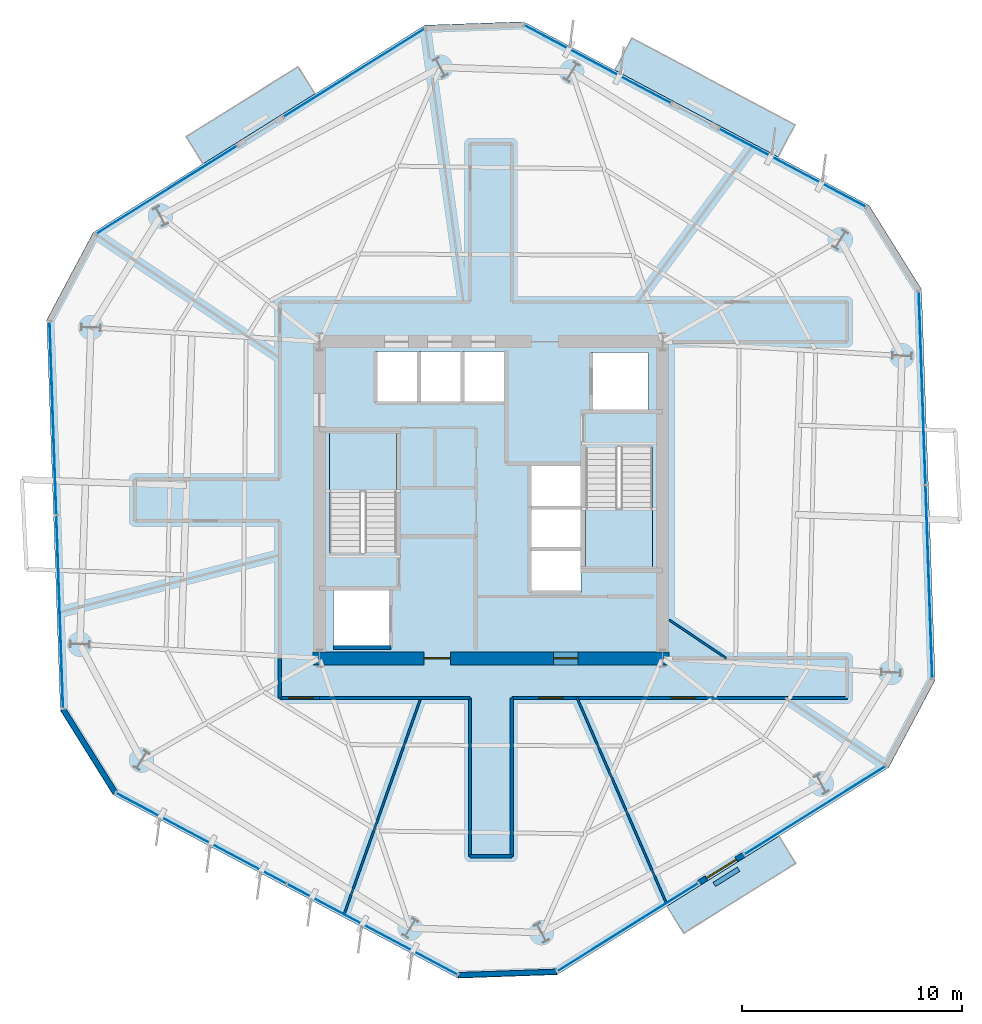
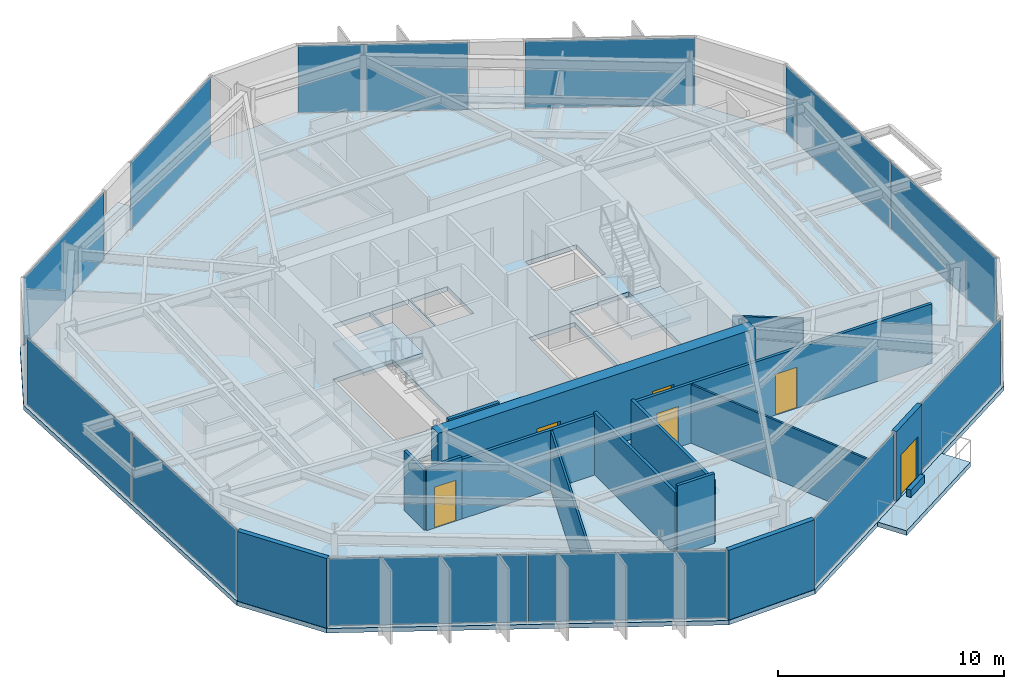
# One storey, part 6 of 12: 16 walls, 12 plates, 6 doors, 6 slabs, 6 openings, 11 elements without a shape of their own.
"""IFC4 building model written with IfcOpenShell, lengths in metres."""

from ifc_helpers import new_model, si_unit, direction, frame, frame_2d, origin, origin_2d, place, context, subcontext, project, spatial, polyline, rectangle, outline, extrude, material, layer, layer_set, type_object, element, fill, aggregate, save


model = new_model("IFC4")

# Units and contexts
model_context = context("Model", 3, precision=1e-05, world=origin(), true_north=direction((0.0, 1.0)))
body_context = subcontext(model_context, "Body", "Model", "MODEL_VIEW")
ifc_project = project(units=[si_unit("LENGTHUNIT", "METRE"), si_unit("AREAUNIT", "SQUARE_METRE"), si_unit("VOLUMEUNIT", "CUBIC_METRE"), si_unit("PLANEANGLEUNIT", "RADIAN"), si_unit("MASSUNIT", "GRAM", prefix="KILO")], contexts=[model_context])

# Site, building, storey
site_placement = place(None, origin())
site = spatial("IfcSite", under=ifc_project, at=site_placement, CompositionType="ELEMENT")
building_placement = place(site_placement, origin())
building = spatial("IfcBuilding", under=site, at=building_placement, Name="Kranzbogen Civic Tower", CompositionType="ELEMENT")
storey_placement = place(building_placement, frame((0.0, 0.0, 150.39990234375)))
storey = spatial("IfcBuildingStorey", under=building, at=storey_placement, Name="L36", CompositionType="ELEMENT", Elevation=150.39990234375)

# Slab
ifc_material_1 = material(Name="Concrete C40/50", Category="concrete")
ifc_layer_1 = layer(ifc_material_1, 0.239990234375, Name="Concrete C40/50")
ifc_layer_set_1 = layer_set([ifc_layer_1], Name="Concrete C40/50")
slab_type_1 = type_object("IfcSlabType", Name="Composite Lower Tower Floor Slab 240 mm", PredefinedType="FLOOR", material=ifc_layer_set_1)
slab_1_placement = place(storey_placement, frame((0.0, 0.0, -0.239990234375)))
element("IfcSlab", 1, at=slab_1_placement, inside=storey, type_object=slab_type_1, Name="L36 tower floor slab", PredefinedType="FLOOR", context=body_context, shape_type="SweptSolid", body=[
    extrude(outline(polyline([(42.193115234375, 38.39599609375), (26.491943359375, 46.7451171875), (21.9951171875, 46.587890625), (6.9140625, 37.1650390625), (4.802001953125, 33.19091796875), (5.422119140625, 15.419921875), (7.806884765625, 11.60400390625), (23.508056640625, 3.2548828125), (28.0048828125, 3.412109375), (43.0859375, 12.8349609375), (45.197998046875, 16.80908203125), (44.577880859375, 34.580078125), (42.193115234375, 38.39599609375)]), holes=[polyline([(20.449951171875, 20.89990234375), (20.449951171875, 18.300048828125), (17.85009765625, 18.300048828125), (17.85009765625, 20.89990234375), (20.449951171875, 20.89990234375)]), polyline([(29.10009765625, 22.699951171875), (29.10009765625, 20.800048828125), (26.75, 20.800048828125), (26.75, 22.699951171875), (29.10009765625, 22.699951171875)]), polyline([(29.10009765625, 24.64990234375), (29.10009765625, 22.77490234375), (26.75, 22.77490234375), (26.75, 24.64990234375), (26.75, 24.675048828125), (26.75, 26.550048828125), (29.10009765625, 26.550048828125), (29.10009765625, 24.675048828125), (29.10009765625, 24.64990234375)]), polyline([(30.75, 27.340087890625), (30.75, 27.39990234375), (32.35009765625, 27.39990234375), (32.35009765625, 21.89990234375), (29.300048828125, 21.89990234375), (29.300048828125, 27.340087890625), (30.75, 27.340087890625)]), polyline([(19.25, 22.659912109375), (19.25, 22.60009765625), (17.64990234375, 22.60009765625), (17.64990234375, 28.10009765625), (20.699951171875, 28.10009765625), (20.699951171875, 22.659912109375), (19.25, 22.659912109375)]), polyline([(32.14990234375, 31.699951171875), (32.14990234375, 29.10009765625), (29.550048828125, 29.10009765625), (29.550048828125, 31.699951171875), (32.14990234375, 31.699951171875)]), polyline([(21.64990234375, 31.75), (21.64990234375, 29.39990234375), (19.75, 29.39990234375), (19.75, 31.75), (21.64990234375, 31.75)]), polyline([(23.625, 29.39990234375), (21.72509765625, 29.39990234375), (21.72509765625, 31.75), (23.625, 31.75), (23.625, 29.39990234375)]), polyline([(25.60009765625, 29.39990234375), (23.699951171875, 29.39990234375), (23.699951171875, 31.75), (25.60009765625, 31.75), (25.60009765625, 29.39990234375)])]), origin(), (0.0, 0.0, 1.0), 0.239990234375),
])

# Curtain wall, plate
ifc_material_2 = material(Name="Pale Anodised Aluminium", Category="aluminium")
ifc_layer_2 = layer(ifc_material_2, 0.219970703125, Name="Pale Anodised Aluminium")
ifc_layer_set_2 = layer_set([ifc_layer_2], Name="Pale Anodised Aluminium")
curtain_wall_type = type_object("IfcCurtainWallType", Name="Zone 2 Stick Curtain Wall System CW-03", PredefinedType="USERDEFINED", material=ifc_layer_set_2)
curtain_wall_1_placement = place(storey_placement, origin())
curtain_wall_1 = element("IfcCurtainWall", 2, at=curtain_wall_1_placement, inside=storey, type_object=curtain_wall_type, Name="L36 curtain wall CW-L36-F1-S1", ObjectType="STICK CURTAIN WALL", PredefinedType="USERDEFINED")
ifc_material_3 = material(Name="Low-E Triple Glazing Glass", Category="glass")
ifc_layer_3 = layer(ifc_material_3, 0.031982421875, Name="Low-E Triple Glazing Glass")
ifc_layer_set_3 = layer_set([ifc_layer_3], Name="Low-E Triple Glazing Glass")
plate_type = type_object("IfcPlateType", Name="Insulated Low-E Glazing Panel 32 mm", PredefinedType="CURTAIN_PANEL", material=ifc_layer_set_3)
plate_1_placement = place(storey_placement, frame((38.712890625, 40.10205078125, 0.06005859375), z_axis=(0.0, 0.0, 1.0), x_axis=(-0.882932473205, 0.469499997614, 0.0)))
plate_1 = element("IfcPlate", 3, at=plate_1_placement, type_object=plate_type, Name="CW-03 panel 1.1", PredefinedType="CURTAIN_PANEL", context=body_context, shape_type="SweptSolid", body=[
    extrude(rectangle(XDim=7.513671875, YDim=0.028076171875, at=origin_2d()), origin(), (0.0, 0.0, 1.0), 3.639892578125),
])
aggregate(curtain_wall_1, [plate_1])

curtain_wall_2_placement = place(storey_placement, origin())
curtain_wall_2 = element("IfcCurtainWall", 4, at=curtain_wall_2_placement, inside=storey, type_object=curtain_wall_type, Name="L36 curtain wall CW-L36-F1-S2", ObjectType="STICK CURTAIN WALL", PredefinedType="USERDEFINED")
plate_2_placement = place(storey_placement, frame((29.8525390625, 44.81298828125, 0.06005859375), z_axis=(0.0, 0.0, 1.0), x_axis=(-0.882961344307, 0.46944569916, 0.0)))
plate_2 = element("IfcPlate", 5, at=plate_2_placement, type_object=plate_type, Name="CW-03 panel 1.1", PredefinedType="CURTAIN_PANEL", context=body_context, shape_type="SweptSolid", body=[
    extrude(rectangle(XDim=7.5146484375, YDim=0.028076171875, at=origin_2d()), origin(), (0.0, 0.0, 1.0), 3.639892578125),
])
aggregate(curtain_wall_2, [plate_2])

curtain_wall_3_placement = place(storey_placement, origin())
curtain_wall_3 = element("IfcCurtainWall", 6, at=curtain_wall_3_placement, inside=storey, type_object=curtain_wall_type, Name="L36 curtain wall CW-L36-F2-S1", ObjectType="STICK CURTAIN WALL", PredefinedType="USERDEFINED")
plate_3_placement = place(storey_placement, frame((18.776611328125, 44.426513671875, 0.06005859375), z_axis=(0.0, 0.0, 1.0), x_axis=(-0.84810866373, -0.529822323525, 0.0)))
plate_3 = element("IfcPlate", 7, at=plate_3_placement, type_object=plate_type, Name="CW-03 panel 1.1", PredefinedType="CURTAIN_PANEL", context=body_context, shape_type="SweptSolid", body=[
    extrude(rectangle(XDim=7.5146484375, YDim=0.028076171875, at=origin_2d()), origin(), (0.0, 0.0, 1.0), 3.639892578125),
])
aggregate(curtain_wall_3, [plate_3])

curtain_wall_4_placement = place(storey_placement, origin())
curtain_wall_4 = element("IfcCurtainWall", 8, at=curtain_wall_4_placement, inside=storey, type_object=curtain_wall_type, Name="L36 curtain wall CW-L36-F2-S2", ObjectType="STICK CURTAIN WALL", PredefinedType="USERDEFINED")
plate_4_placement = place(storey_placement, frame((10.26708984375, 39.109619140625, 0.06005859375), z_axis=(0.0, 0.0, 1.0), x_axis=(-0.848071889421, -0.529881185148, 0.0)))
plate_4 = element("IfcPlate", 9, at=plate_4_placement, type_object=plate_type, Name="CW-03 panel 1.1", PredefinedType="CURTAIN_PANEL", context=body_context, shape_type="SweptSolid", body=[
    extrude(rectangle(XDim=7.513671875, YDim=0.028076171875, at=origin_2d()), origin(), (0.0, 0.0, 1.0), 3.639892578125),
])
aggregate(curtain_wall_4, [plate_4])

# Curtain wall, plates
curtain_wall_5_placement = place(storey_placement, origin())
curtain_wall_5 = element("IfcCurtainWall", 10, at=curtain_wall_5_placement, inside=storey, type_object=curtain_wall_type, Name="L36 curtain wall CW-L36-F3", ObjectType="STICK CURTAIN WALL", PredefinedType="USERDEFINED")
plate_5_placement = place(storey_placement, frame((5.08642578125, 28.708984375, 0.06005859375), z_axis=(0.0, 0.0, 1.0), x_axis=(0.034867774782, -0.999391934269, 0.0)))
plate_5 = element("IfcPlate", 11, at=plate_5_placement, type_object=plate_type, Name="CW-03 panel 1.1", PredefinedType="CURTAIN_PANEL", context=body_context, shape_type="SweptSolid", body=[
    extrude(rectangle(XDim=8.743408203125, YDim=0.028076171875, at=origin_2d()), origin(), (0.0, 0.0, 1.0), 3.639892578125),
])
plate_6_placement = place(storey_placement, frame((5.3935546875, 19.910888671875, 0.06005859375), z_axis=(0.0, 0.0, 1.0), x_axis=(0.034867774782, -0.999391934269, 0.0)))
plate_6 = element("IfcPlate", 12, at=plate_6_placement, type_object=plate_type, Name="CW-03 panel 2.1", PredefinedType="CURTAIN_PANEL", context=body_context, shape_type="SweptSolid", body=[
    extrude(rectangle(XDim=8.743408203125, YDim=0.028076171875, at=origin_2d()), origin(), (0.0, 0.0, 1.0), 3.639892578125),
])
aggregate(curtain_wall_5, [plate_5, plate_6])

curtain_wall_6_placement = place(storey_placement, origin())
curtain_wall_6 = element("IfcCurtainWall", 13, at=curtain_wall_6_placement, inside=storey, type_object=curtain_wall_type, Name="L36 curtain wall CW-L36-F4", ObjectType="STICK CURTAIN WALL", PredefinedType="USERDEFINED")
plate_7_placement = place(storey_placement, frame((11.83056640625, 9.609130859375, 0.06005859375), z_axis=(0.0, 0.0, 1.0), x_axis=(0.882952257691, -0.469462789408, 0.0)))
plate_7 = element("IfcPlate", 14, at=plate_7_placement, type_object=plate_type, Name="CW-03 panel 1.1", PredefinedType="CURTAIN_PANEL", context=body_context, shape_type="SweptSolid", body=[
    extrude(rectangle(XDim=8.74462890625, YDim=0.028076171875, at=origin_2d()), origin(), (0.0, 0.0, 1.0), 3.639892578125),
])
plate_8_placement = place(storey_placement, frame((19.6044921875, 5.475830078125, 0.06005859375), z_axis=(0.0, 0.0, 1.0), x_axis=(0.882952257691, -0.469462789408, 0.0)))
plate_8 = element("IfcPlate", 15, at=plate_8_placement, type_object=plate_type, Name="CW-03 panel 2.1", PredefinedType="CURTAIN_PANEL", context=body_context, shape_type="SweptSolid", body=[
    extrude(rectangle(XDim=8.74462890625, YDim=0.028076171875, at=origin_2d()), origin(), (0.0, 0.0, 1.0), 3.639892578125),
])
aggregate(curtain_wall_6, [plate_7, plate_8])

# Curtain wall, plate
curtain_wall_7_placement = place(storey_placement, origin())
curtain_wall_7 = element("IfcCurtainWall", 16, at=curtain_wall_7_placement, inside=storey, type_object=curtain_wall_type, Name="L36 curtain wall CW-L36-F5-S1", ObjectType="STICK CURTAIN WALL", PredefinedType="USERDEFINED")
plate_9_placement = place(storey_placement, frame((31.223388671875, 5.573486328125, 0.06005859375), z_axis=(0.0, 0.0, 1.0), x_axis=(0.84810866373, 0.529822323525, 0.0)))
plate_9 = element("IfcPlate", 17, at=plate_9_placement, type_object=plate_type, Name="CW-03 panel 1.1", PredefinedType="CURTAIN_PANEL", context=body_context, shape_type="SweptSolid", body=[
    extrude(rectangle(XDim=7.5146484375, YDim=0.028076171875, at=origin_2d()), origin(), (0.0, 0.0, 1.0), 3.639892578125),
])
aggregate(curtain_wall_7, [plate_9])

curtain_wall_8_placement = place(storey_placement, origin())
curtain_wall_8 = element("IfcCurtainWall", 18, at=curtain_wall_8_placement, inside=storey, type_object=curtain_wall_type, Name="L36 curtain wall CW-L36-F5-S2", ObjectType="STICK CURTAIN WALL", PredefinedType="USERDEFINED")
plate_10_placement = place(storey_placement, frame((39.73291015625, 10.890380859375, 0.06005859375), z_axis=(0.0, 0.0, 1.0), x_axis=(0.848071889421, 0.529881185148, 0.0)))
plate_10 = element("IfcPlate", 19, at=plate_10_placement, type_object=plate_type, Name="CW-03 panel 1.1", PredefinedType="CURTAIN_PANEL", context=body_context, shape_type="SweptSolid", body=[
    extrude(rectangle(XDim=7.513671875, YDim=0.028076171875, at=origin_2d()), origin(), (0.0, 0.0, 1.0), 3.639892578125),
])
aggregate(curtain_wall_8, [plate_10])

# Curtain wall, plates
curtain_wall_9_placement = place(storey_placement, origin())
curtain_wall_9 = element("IfcCurtainWall", 20, at=curtain_wall_9_placement, inside=storey, type_object=curtain_wall_type, Name="L36 curtain wall CW-L36-F6", ObjectType="STICK CURTAIN WALL", PredefinedType="USERDEFINED")
plate_11_placement = place(storey_placement, frame((44.91357421875, 21.291015625, 0.06005859375), z_axis=(0.0, 0.0, 1.0), x_axis=(-0.034867774782, 0.999391934269, 0.0)))
plate_11 = element("IfcPlate", 21, at=plate_11_placement, type_object=plate_type, Name="CW-03 panel 1.1", PredefinedType="CURTAIN_PANEL", context=body_context, shape_type="SweptSolid", body=[
    extrude(rectangle(XDim=8.743408203125, YDim=0.028076171875, at=origin_2d()), origin(), (0.0, 0.0, 1.0), 3.639892578125),
])
plate_12_placement = place(storey_placement, frame((44.6064453125, 30.089111328125, 0.06005859375), z_axis=(0.0, 0.0, 1.0), x_axis=(-0.034867774782, 0.999391934269, 0.0)))
plate_12 = element("IfcPlate", 22, at=plate_12_placement, type_object=plate_type, Name="CW-03 panel 2.1", PredefinedType="CURTAIN_PANEL", context=body_context, shape_type="SweptSolid", body=[
    extrude(rectangle(XDim=8.743408203125, YDim=0.028076171875, at=origin_2d()), origin(), (0.0, 0.0, 1.0), 3.639892578125),
])
aggregate(curtain_wall_9, [plate_11, plate_12])

# Stair, slab
ifc_material_4 = material(Name="Precast concrete C40/50", Category="concrete")
stair_type_1 = type_object("IfcStairType", Name="Tower Core Pressurized Dogleg Stair 1450", PredefinedType="HALF_TURN_STAIR", material=ifc_material_4)
stair_1_placement = place(storey_placement, origin())
stair_1 = element("IfcStair", 23, at=stair_1_placement, inside=storey, type_object=stair_type_1, Name="L36 Tower Core Pressurized Stair 1", PredefinedType="HALF_TURN_STAIR")
ifc_layer_4 = layer(ifc_material_4, 0.199951171875, Name="Precast concrete C40/50")
ifc_layer_set_4 = layer_set([ifc_layer_4], Name="Precast concrete C40/50")
slab_type_2 = type_object("IfcSlabType", Name="Precast Concrete Stair Landing Slab 200 mm", PredefinedType="LANDING", material=ifc_layer_set_4)
slab_2_placement = place(storey_placement, frame((0.0, 0.0, 1.800048828125)))
slab_2 = element("IfcSlab", 24, at=slab_2_placement, type_object=slab_type_2, Name="ST-T1 landing 1", PredefinedType="LANDING", context=body_context, shape_type="SweptSolid", body=[
    extrude(outline(polyline([(20.699951171875, 25.39990234375), (20.699951171875, 28.10009765625), (17.64990234375, 28.10009765625), (17.64990234375, 25.39990234375), (20.699951171875, 25.39990234375)])), origin(), (0.0, 0.0, 1.0), 0.199951171875),
])
aggregate(stair_1, [slab_2])

stair_type_2 = type_object("IfcStairType", Name="Tower Core Secondary Dogleg Stair 1450", PredefinedType="HALF_TURN_STAIR", material=ifc_material_4)
stair_2_placement = place(storey_placement, origin())
stair_2 = element("IfcStair", 25, at=stair_2_placement, inside=storey, type_object=stair_type_2, Name="L36 Tower Core Pressurized Stair 2", PredefinedType="HALF_TURN_STAIR")
slab_3_placement = place(storey_placement, frame((0.0, 0.0, 1.800048828125)))
slab_3 = element("IfcSlab", 26, at=slab_3_placement, type_object=slab_type_2, Name="ST-T2 landing 1", PredefinedType="LANDING", context=body_context, shape_type="SweptSolid", body=[
    extrude(outline(polyline([(29.300048828125, 24.60009765625), (29.300048828125, 21.89990234375), (32.35009765625, 21.89990234375), (32.35009765625, 24.60009765625), (29.300048828125, 24.60009765625)])), origin(), (0.0, 0.0, 1.0), 0.199951171875),
])
aggregate(stair_2, [slab_3])

# Slabs
ifc_layer_5 = layer(ifc_material_1, 0.280029296875, Name="Concrete C40/50")
ifc_layer_set_5 = layer_set([ifc_layer_5], Name="Concrete C40/50")
slab_type_3 = type_object("IfcSlabType", Name="Spiral Terrace Cantilevered Slab 280 mm", PredefinedType="FLOOR", material=ifc_layer_set_5)
slab_4_placement = place(storey_placement, frame((0.0, 0.0, -0.27978515625)))
element("IfcSlab", 27, at=slab_4_placement, inside=storey, type_object=slab_type_3, Name="L36 cantilevered spiral terrace L36-ST", PredefinedType="FLOOR", context=body_context, shape_type="SweptSolid", body=[
    extrude(outline(polyline([(38.051025390625, 40.59912109375), (30.634033203125, 44.5419921875), (31.408935546875, 45.9990234375), (38.825927734375, 42.055908203125), (38.051025390625, 40.59912109375)])), origin(), (0.0, 0.0, 1.0), 0.27978515625),
])
ifc_layer_6 = layer(ifc_material_1, 0.25, Name="Concrete C40/50")
ifc_layer_set_6 = layer_set([ifc_layer_6], Name="Concrete C40/50")
slab_type_4 = type_object("IfcSlabType", Name="Tree Balcony Cantilevered Slab 250 mm", PredefinedType="FLOOR", material=ifc_layer_set_6)
slab_5_placement = place(storey_placement, frame((0.0, 0.0, -0.25)))
element("IfcSlab", 28, at=slab_5_placement, inside=storey, type_object=slab_type_4, Name="L36 cantilevered tree balcony L36-TB1", PredefinedType="FLOOR", context=body_context, shape_type="SweptSolid", body=[
    extrude(outline(polyline([(16.9990234375, 43.466064453125), (11.909912109375, 40.285888671875), (11.14208984375, 41.51611328125), (16.23095703125, 44.696044921875), (16.9990234375, 43.466064453125)])), origin(), (0.0, 0.0, 1.0), 0.25),
])
slab_6_placement = place(storey_placement, frame((0.0, 0.0, -0.25)))
element("IfcSlab", 29, at=slab_6_placement, inside=storey, type_object=slab_type_4, Name="L36 cantilevered tree balcony L36-TB2", PredefinedType="FLOOR", context=body_context, shape_type="SweptSolid", body=[
    extrude(outline(polyline([(33.0009765625, 6.533935546875), (38.090087890625, 9.714111328125), (38.85791015625, 8.48388671875), (33.76904296875, 5.303955078125), (33.0009765625, 6.533935546875)])), origin(), (0.0, 0.0, 1.0), 0.25),
])

# Wall, opening, door
ifc_material_5 = material(Name="Double-Stud Acoustic Gypsum Partition")
ifc_layer_7 = layer(ifc_material_5, 0.14990234375, Name="Double-Stud Acoustic Gypsum Partition")
ifc_layer_set_7 = layer_set([ifc_layer_7], Name="Double-Stud Acoustic Gypsum Partition")
wall_type_1 = type_object("IfcWallType", Name="Acoustic Corridor and Clinical Partition 150 mm", PredefinedType="PARTITIONING", material=ifc_layer_set_7)
wall_1_placement = place(storey_placement, frame((17.199951171875, 16.0, 0.0), z_axis=(0.0, 0.0, 1.0), x_axis=(-1.0, 0.0, 0.0)))
wall_1 = element("IfcWall", 30, at=wall_1_placement, inside=storey, type_object=wall_type_1, Name="L36 corridor partition 01", PredefinedType="PARTITIONING", context=body_context, shape_type="SweptSolid", body=[
    extrude(rectangle(XDim=1.800048828125, YDim=0.14990234375, at=frame_2d((0.89990234375, 0.0))), origin(), (0.0, 0.0, 1.0), 3.360107421875),
])
opening_1_placement = place(wall_1_placement, frame((0.287109375, 0.0, 0.0)))
opening_1 = element("IfcOpeningElement", 31, at=opening_1_placement, cuts=wall_1, Name="Opening D-COR60", PredefinedType="OPENING", context=body_context, shape_type="SweptSolid", body=[
    extrude(rectangle(XDim=1.10009765625, YDim=2.199951171875, at=frame_2d((0.550048828125, 1.10009765625))), frame((0.0, 0.0849609375, 0.0), z_axis=(0.0, -1.0, 0.0), x_axis=(1.0, 0.0, 0.0)), (0.0, 0.0, 1.0), 0.169921875),
])
ifc_material_6 = material(Name="Oak Timber and Fire Core", Category="wood")
door_type_1 = type_object("IfcDoorType", Name="Corridor Acoustic Fire Door 1100x2200", OperationType="NOTDEFINED", PredefinedType="DOOR", material=ifc_material_6)
door_1_placement = place(opening_1_placement, origin())
door_1 = element("IfcDoor", 32, at=door_1_placement, inside=storey, type_object=door_type_1, Name="L36 Executive Briefing Conference Room door", OperationType="SINGLE_SWING_LEFT", OverallHeight=2.199951171875, OverallWidth=1.10009765625, PredefinedType="DOOR", context=body_context, shape_type="SweptSolid", body=[
    extrude(rectangle(XDim=1.10009765625, YDim=2.199951171875, at=frame_2d((0.550048828125, 1.10009765625))), frame((0.0, 0.02490234375, 0.0), z_axis=(0.0, -1.0, 0.0), x_axis=(1.0, 0.0, 0.0)), (0.0, 0.0, 1.0), 0.050048828125),
])
fill(opening_1, door_1)

# Wall
wall_2_placement = place(storey_placement, frame((15.39990234375, 16.0, 0.0), z_axis=(0.0, 0.0, 1.0), x_axis=(0.0, 1.0, 0.0)))
element("IfcWall", 33, at=wall_2_placement, inside=storey, type_object=wall_type_1, Name="L36 corridor partition 02", PredefinedType="PARTITIONING", context=body_context, shape_type="SweptSolid", body=[
    extrude(rectangle(XDim=1.800048828125, YDim=0.14990234375, at=frame_2d((0.89990234375, 0.0))), origin(), (0.0, 0.0, 1.0), 3.210205078125),
])

# Wall, openings, doors
wall_3_placement = place(storey_placement, frame((41.199951171875, 16.0, 0.0), z_axis=(0.0, 0.0, 1.0), x_axis=(-1.0, 0.0, 0.0)))
wall_3 = element("IfcWall", 34, at=wall_3_placement, inside=storey, type_object=wall_type_1, Name="L36 corridor partition 19", PredefinedType="PARTITIONING", context=body_context, shape_type="SweptSolid", body=[
    extrude(rectangle(XDim=15.25, YDim=0.14990234375, at=frame_2d((7.625, 0.0))), origin(), (0.0, 0.0, 1.0), 3.210205078125),
])
opening_2_placement = place(wall_3_placement, frame((12.931884765625, 0.0, 0.0)))
opening_2 = element("IfcOpeningElement", 35, at=opening_2_placement, cuts=wall_3, Name="Opening D-COR60", PredefinedType="OPENING", context=body_context, shape_type="SweptSolid", body=[
    extrude(rectangle(XDim=1.10009765625, YDim=2.199951171875, at=frame_2d((0.550048828125, 1.10009765625))), frame((0.0, 0.0849609375, 0.0), z_axis=(0.0, -1.0, 0.0), x_axis=(1.0, 0.0, 0.0)), (0.0, 0.0, 1.0), 0.169921875),
])
opening_3_placement = place(wall_3_placement, frame((6.89599609375, 0.0, 0.0)))
opening_3 = element("IfcOpeningElement", 36, at=opening_3_placement, cuts=wall_3, Name="Opening D-COR60", PredefinedType="OPENING", context=body_context, shape_type="SweptSolid", body=[
    extrude(rectangle(XDim=1.10009765625, YDim=2.199951171875, at=frame_2d((0.550048828125, 1.10009765625))), frame((0.0, 0.0849609375, 0.0), z_axis=(0.0, -1.0, 0.0), x_axis=(1.0, 0.0, 0.0)), (0.0, 0.0, 1.0), 0.169921875),
])
door_2_placement = place(opening_2_placement, origin())
door_2 = element("IfcDoor", 37, at=door_2_placement, inside=storey, type_object=door_type_1, Name="L36 Parliamentary Review Boardroom door", OperationType="SINGLE_SWING_RIGHT", OverallHeight=2.199951171875, OverallWidth=1.10009765625, PredefinedType="DOOR", context=body_context, shape_type="SweptSolid", body=[
    extrude(rectangle(XDim=1.10009765625, YDim=2.199951171875, at=frame_2d((0.550048828125, 1.10009765625))), frame((0.0, 0.02490234375, 0.0), z_axis=(0.0, -1.0, 0.0), x_axis=(1.0, 0.0, 0.0)), (0.0, 0.0, 1.0), 0.050048828125),
])
fill(opening_2, door_2)
door_3_placement = place(opening_3_placement, origin())
door_3 = element("IfcDoor", 38, at=door_3_placement, inside=storey, type_object=door_type_1, Name="L36 Policy Seminar Room door", OperationType="SINGLE_SWING_LEFT", OverallHeight=2.199951171875, OverallWidth=1.10009765625, PredefinedType="DOOR", context=body_context, shape_type="SweptSolid", body=[
    extrude(rectangle(XDim=1.10009765625, YDim=2.199951171875, at=frame_2d((0.550048828125, 1.10009765625))), frame((0.0, 0.02490234375, 0.0), z_axis=(0.0, -1.0, 0.0), x_axis=(1.0, 0.0, 0.0)), (0.0, 0.0, 1.0), 0.050048828125),
])
fill(opening_3, door_3)

# Walls
wall_4_placement = place(storey_placement, frame((25.949951171875, 16.0, 0.0), z_axis=(0.0, 0.0, 1.0), x_axis=(0.0, -1.0, 0.0)))
element("IfcWall", 39, at=wall_4_placement, inside=storey, type_object=wall_type_1, Name="L36 corridor partition 20", PredefinedType="PARTITIONING", context=body_context, shape_type="SweptSolid", body=[
    extrude(rectangle(XDim=7.199951171875, YDim=0.14990234375, at=frame_2d((3.60009765625, 0.0))), origin(), (0.0, 0.0, 1.0), 3.360107421875),
])
wall_5_placement = place(storey_placement, frame((25.949951171875, 8.800048828125, 0.0), z_axis=(0.0, 0.0, 1.0), x_axis=(-1.0, 0.0, 0.0)))
element("IfcWall", 40, at=wall_5_placement, inside=storey, type_object=wall_type_1, Name="L36 corridor partition 21", PredefinedType="PARTITIONING", context=body_context, shape_type="SweptSolid", body=[
    extrude(rectangle(XDim=1.89990234375, YDim=0.14990234375, at=frame_2d((0.949951171875, 0.0))), origin(), (0.0, 0.0, 1.0), 3.760009765625),
])
wall_6_placement = place(storey_placement, frame((24.050048828125, 8.800048828125, 0.0), z_axis=(0.0, 0.0, 1.0), x_axis=(0.0, 1.0, 0.0)))
element("IfcWall", 41, at=wall_6_placement, inside=storey, type_object=wall_type_1, Name="L36 corridor partition 22", PredefinedType="PARTITIONING", context=body_context, shape_type="SweptSolid", body=[
    extrude(rectangle(XDim=7.199951171875, YDim=0.14990234375, at=frame_2d((3.60009765625, 0.0))), origin(), (0.0, 0.0, 1.0), 3.360107421875),
])
wall_7_placement = place(storey_placement, frame((24.050048828125, 16.0, 0.0), z_axis=(0.0, 0.0, 1.0), x_axis=(-1.0, 0.0, 0.0)))
element("IfcWall", 42, at=wall_7_placement, inside=storey, type_object=wall_type_1, Name="L36 corridor partition 23", PredefinedType="PARTITIONING", context=body_context, shape_type="SweptSolid", body=[
    extrude(rectangle(XDim=6.85009765625, YDim=0.14990234375, at=frame_2d((3.425048828125, 0.0))), origin(), (0.0, 0.0, 1.0), 3.210205078125),
])
ifc_material_7 = material(Name="Architectural Precast Terracotta Concrete C40/50", Category="masonry")
ifc_layer_8 = layer(ifc_material_7, 0.219970703125, Name="Architectural Precast Terracotta Concrete C40/50")
ifc_layer_set_8 = layer_set([ifc_layer_8], Name="Architectural Precast Terracotta Concrete C40/50")
wall_type_2 = type_object("IfcWallType", Name="Architectural Tree Planter Kerb Wall 220 mm", PredefinedType="USERDEFINED", material=ifc_layer_set_8)
wall_8_placement = place(storey_placement, frame((35.156005859375, 7.52197265625, 0.0), z_axis=(0.0, 0.0, 1.0), x_axis=(0.848272680747, 0.52955968417, 0.0)))
element("IfcWall", 43, at=wall_8_placement, inside=storey, type_object=wall_type_2, Name="L36 landscaped tree balcony planter L36-TB2", ObjectType="PLANTER_WALL", PredefinedType="USERDEFINED", context=body_context, shape_type="SweptSolid", body=[
    extrude(rectangle(XDim=1.299072265625, YDim=0.219970703125, at=frame_2d((0.6494140625, 0.0))), origin(), (0.0, 0.0, 1.0), 0.400146484375),
])

# Wall, openings, doors
ifc_material_8 = material(Name="Concrete C55/67", Category="concrete")
ifc_layer_9 = layer(ifc_material_8, 0.60009765625, Name="Concrete C55/67")
ifc_layer_set_9 = layer_set([ifc_layer_9], Name="Concrete C55/67")
wall_type_3 = type_object("IfcWallType", Name="Central Core Shear Wall 600 mm", PredefinedType="SHEAR", material=ifc_layer_set_9)
wall_9_placement = place(storey_placement, frame((16.89990234375, 17.800048828125, 0.0), z_axis=(0.0, 0.0, 1.0), x_axis=(1.0, 0.0, 0.0)))
wall_9 = element("IfcWall", 44, at=wall_9_placement, inside=storey, type_object=wall_type_3, Name="L36 central core South shear wall", PredefinedType="SHEAR", context=body_context, shape_type="SweptSolid", body=[
    extrude(rectangle(XDim=16.2001953125, YDim=0.60009765625, at=frame_2d((8.10009765625, 0.0))), origin(), (0.0, 0.0, 1.0), 3.760009765625),
])
opening_4_placement = place(wall_9_placement, frame((5.050048828125, 0.0, 0.0)))
opening_4 = element("IfcOpeningElement", 45, at=opening_4_placement, cuts=wall_9, Name="Opening D-EX120", PredefinedType="OPENING", context=body_context, shape_type="SweptSolid", body=[
    extrude(rectangle(XDim=1.199951171875, YDim=2.25, at=frame_2d((0.60009765625, 1.125))), frame((0.0, 0.31005859375, 0.0), z_axis=(0.0, -1.0, 0.0), x_axis=(1.0, 0.0, 0.0)), (0.0, 0.0, 1.0), 0.6201171875),
])
opening_5_placement = place(wall_9_placement, frame((10.949951171875, 0.0, 0.0)))
opening_5 = element("IfcOpeningElement", 46, at=opening_5_placement, cuts=wall_9, Name="Opening D-COR60", PredefinedType="OPENING", context=body_context, shape_type="SweptSolid", body=[
    extrude(rectangle(XDim=1.10009765625, YDim=2.199951171875, at=frame_2d((0.550048828125, 1.10009765625))), frame((0.0, 0.31005859375, 0.0), z_axis=(0.0, -1.0, 0.0), x_axis=(1.0, 0.0, 0.0)), (0.0, 0.0, 1.0), 0.6201171875),
])
door_4_placement = place(opening_5_placement, origin())
door_4 = element("IfcDoor", 47, at=door_4_placement, inside=storey, type_object=door_type_1, Name="L36 REC1 archive room door", OperationType="SINGLE_SWING_RIGHT", OverallHeight=2.199951171875, OverallWidth=1.10009765625, PredefinedType="DOOR", context=body_context, shape_type="SweptSolid", body=[
    extrude(rectangle(XDim=1.10009765625, YDim=2.199951171875, at=frame_2d((0.550048828125, 1.10009765625))), frame((0.0, 0.02490234375, 0.0), z_axis=(0.0, -1.0, 0.0), x_axis=(1.0, 0.0, 0.0)), (0.0, 0.0, 1.0), 0.050048828125),
])
fill(opening_5, door_4)
ifc_material_9 = material(Name="Steel S355", Category="steel")
door_type_2 = type_object("IfcDoorType", Name="Exit Passageway Fire Door 1200x2250", OperationType="NOTDEFINED", PredefinedType="DOOR", material=ifc_material_9)
door_5_placement = place(opening_4_placement, origin())
door_5 = element("IfcDoor", 48, at=door_5_placement, inside=storey, type_object=door_type_2, Name="L36 West firefighting lobby corridor door", OperationType="SINGLE_SWING_LEFT", OverallHeight=2.25, OverallWidth=1.199951171875, PredefinedType="DOOR", context=body_context, shape_type="SweptSolid", body=[
    extrude(rectangle(XDim=1.199951171875, YDim=2.25, at=frame_2d((0.60009765625, 1.125))), frame((0.0, 0.02490234375, 0.0), z_axis=(0.0, -1.0, 0.0), x_axis=(1.0, 0.0, 0.0)), (0.0, 0.0, 1.0), 0.050048828125),
])
fill(opening_4, door_5)

# Walls
ifc_material_10 = material(Name="Demountable Aluminium and Gypsum Partition", Category="aluminium")
ifc_layer_10 = layer(ifc_material_10, 0.10009765625, Name="Demountable Aluminium and Gypsum Partition")
ifc_layer_set_10 = layer_set([ifc_layer_10], Name="Demountable Aluminium and Gypsum Partition")
wall_type_4 = type_object("IfcWallType", Name="Demountable Office Partition 100 mm", PredefinedType="MOVABLE", material=ifc_layer_set_10)
wall_10_placement = place(storey_placement, frame((21.81103515625, 16.0, 0.0), z_axis=(0.0, 0.0, 1.0), x_axis=(-0.333981087617, -0.942579775464, 0.0)))
element("IfcWall", 49, at=wall_10_placement, inside=storey, type_object=wall_type_4, Name="L36 radial room partition 05", PredefinedType="MOVABLE", context=body_context, shape_type="SweptSolid", body=[
    extrude(rectangle(XDim=10.425537109375, YDim=0.10009765625, at=frame_2d((5.212890625, 0.0))), origin(), (0.0, 0.0, 1.0), 3.16015625),
])
wall_11_placement = place(storey_placement, frame((28.916015625, 16.0, 0.0), z_axis=(0.0, 0.0, 1.0), x_axis=(0.398858798929, -0.917012354615, 0.0)))
element("IfcWall", 50, at=wall_11_placement, inside=storey, type_object=wall_type_4, Name="L36 radial room partition 06", PredefinedType="MOVABLE", context=body_context, shape_type="SweptSolid", body=[
    extrude(rectangle(XDim=10.158935546875, YDim=0.10009765625, at=frame_2d((5.07958984375, 0.0))), origin(), (0.0, 0.0, 1.0), 3.16015625),
])
wall_12_placement = place(storey_placement, frame((33.10009765625, 19.552001953125, 0.0), z_axis=(0.0, 0.0, 1.0), x_axis=(0.829697218319, -0.55821369198, 0.0)))
element("IfcWall", 51, at=wall_12_placement, inside=storey, type_object=wall_type_4, Name="L36 radial room partition 07", PredefinedType="MOVABLE", context=body_context, shape_type="SweptSolid", body=[
    extrude(rectangle(XDim=3.138427734375, YDim=0.10009765625, at=frame_2d((1.5693359375, 0.0))), origin(), (0.0, 0.0, 1.0), 3.210205078125),
])
ifc_material_11 = material(Name="Gypsum Fireboard Shaftliner")
ifc_layer_11 = layer(ifc_material_11, 0.175048828125, Name="Gypsum Fireboard Shaftliner")
ifc_layer_set_11 = layer_set([ifc_layer_11], Name="Gypsum Fireboard Shaftliner")
wall_type_5 = type_object("IfcWallType", Name="Fire-Rated Lift and Service Shaft Wall 175 mm", PredefinedType="PARTITIONING", material=ifc_layer_set_11)
wall_13_placement = place(storey_placement, frame((17.85009765625, 18.300048828125, 0.0), z_axis=(0.0, 0.0, 1.0), x_axis=(1.0, 0.0, 0.0)))
element("IfcWall", 52, at=wall_13_placement, inside=storey, type_object=wall_type_5, Name="L36 lift FF-01 side wall", PredefinedType="PARTITIONING", context=body_context, shape_type="SweptSolid", body=[
    extrude(rectangle(XDim=2.599853515625, YDim=0.175048828125, at=frame_2d((1.2998046875, 0.0))), origin(), (0.0, 0.0, 1.0), 3.760009765625),
])
ifc_layer_12 = layer(ifc_material_2, 0.239990234375, Name="Pale Anodised Aluminium")
ifc_layer_set_12 = layer_set([ifc_layer_12], Name="Pale Anodised Aluminium")
wall_type_6 = type_object("IfcWallType", Name="Insulated Aluminium Facade Portal Wall 240 mm", PredefinedType="STANDARD", material=ifc_layer_set_12)
wall_14_placement = place(storey_placement, frame((5.548095703125, 15.48193359375, 0.0), z_axis=(0.0, 0.0, 1.0), x_axis=(0.529822232534, -0.848108720573, 0.0)))
element("IfcWall", 53, at=wall_14_placement, inside=storey, type_object=wall_type_6, Name="L36 chamfered corner facade spandrel 3", PredefinedType="STANDARD", context=body_context, shape_type="SweptSolid", body=[
    extrude(rectangle(XDim=4.47119140625, YDim=0.239990234375, at=frame_2d((2.235595703125, 0.0))), origin(), (0.0, 0.0, 1.0), 3.760009765625),
])
wall_15_placement = place(storey_placement, frame((23.51806640625, 3.39501953125, 0.0), z_axis=(0.0, 0.0, 1.0), x_axis=(0.999390988908, 0.034894860495, 0.0)))
element("IfcWall", 54, at=wall_15_placement, inside=storey, type_object=wall_type_6, Name="L36 chamfered corner facade spandrel 4", PredefinedType="STANDARD", context=body_context, shape_type="SweptSolid", body=[
    extrude(rectangle(XDim=4.470703125, YDim=0.239990234375, at=frame_2d((2.2353515625, 0.0))), origin(), (0.0, 0.0, 1.0), 3.760009765625),
])

# Wall, opening, door
wall_16_placement = place(storey_placement, frame((34.4609375, 7.595947265625, 0.0), z_axis=(0.0, 0.0, 1.0), x_axis=(0.847998304005, 0.529998940003, 0.0)))
wall_16 = element("IfcWall", 55, at=wall_16_placement, inside=storey, type_object=wall_type_6, Name="L36 exterior entrance portal wall 1", PredefinedType="STANDARD", context=body_context, shape_type="SweptSolid", body=[
    extrude(rectangle(XDim=2.39990234375, YDim=0.239990234375, at=frame_2d((1.199951171875, 0.0))), origin(), (0.0, 0.0, 1.0), 3.760009765625),
])
opening_6_placement = place(wall_16_placement, frame((0.39990234375, 0.0, 0.0)))
opening_6 = element("IfcOpeningElement", 56, at=opening_6_placement, cuts=wall_16, Name="Opening D-TER", PredefinedType="OPENING", context=body_context, shape_type="SweptSolid", body=[
    extrude(rectangle(XDim=1.60009765625, YDim=2.25, at=frame_2d((0.800048828125, 1.125))), frame((0.0, 0.1298828125, 0.0), z_axis=(0.0, -1.0, 0.0), x_axis=(1.0, 0.0, 0.0)), (0.0, 0.0, 1.0), 0.260009765625),
])
ifc_material_12 = material(Name="Anodised Bronze and Triple Glass", Category="glass")
door_type_3 = type_object("IfcDoorType", Name="Glazed Terrace and Balcony Double Door 1600x2250", OperationType="DOUBLE_DOOR_SINGLE_SWING", PredefinedType="DOOR", material=ifc_material_12)
door_6_placement = place(opening_6_placement, frame((1.60009765625, 0.0, 0.0), z_axis=(0.0, 0.0, 1.0), x_axis=(-1.0, 0.0, 0.0)))
door_6 = element("IfcDoor", 57, at=door_6_placement, inside=storey, type_object=door_type_3, Name="L36 tree balcony access door L36-TB2", OperationType="DOUBLE_DOOR_SINGLE_SWING", OverallHeight=2.25, OverallWidth=1.60009765625, PredefinedType="DOOR", context=body_context, shape_type="SweptSolid", body=[
    extrude(rectangle(XDim=1.60009765625, YDim=2.25, at=frame_2d((0.800048828125, 1.125))), frame((0.0, 0.02490234375, 0.0), z_axis=(0.0, -1.0, 0.0), x_axis=(1.0, 0.0, 0.0)), (0.0, 0.0, 1.0), 0.050048828125),
])
fill(opening_6, door_6)

save(model, "model.ifc")
